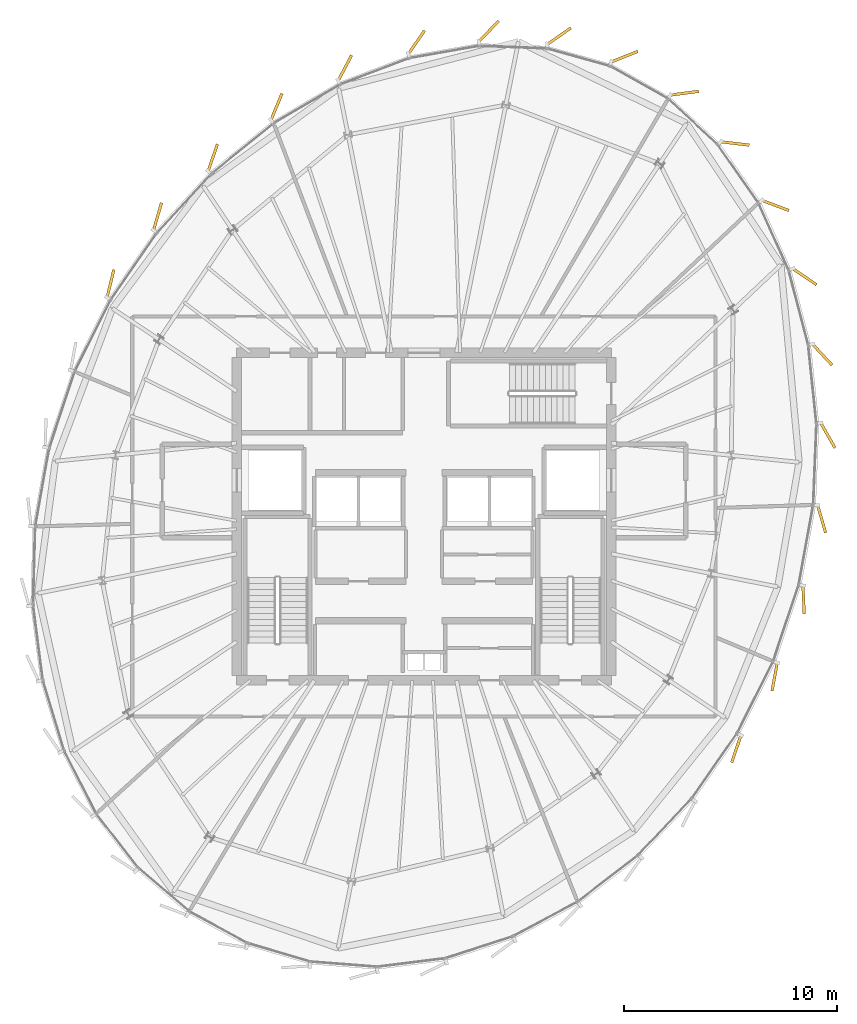
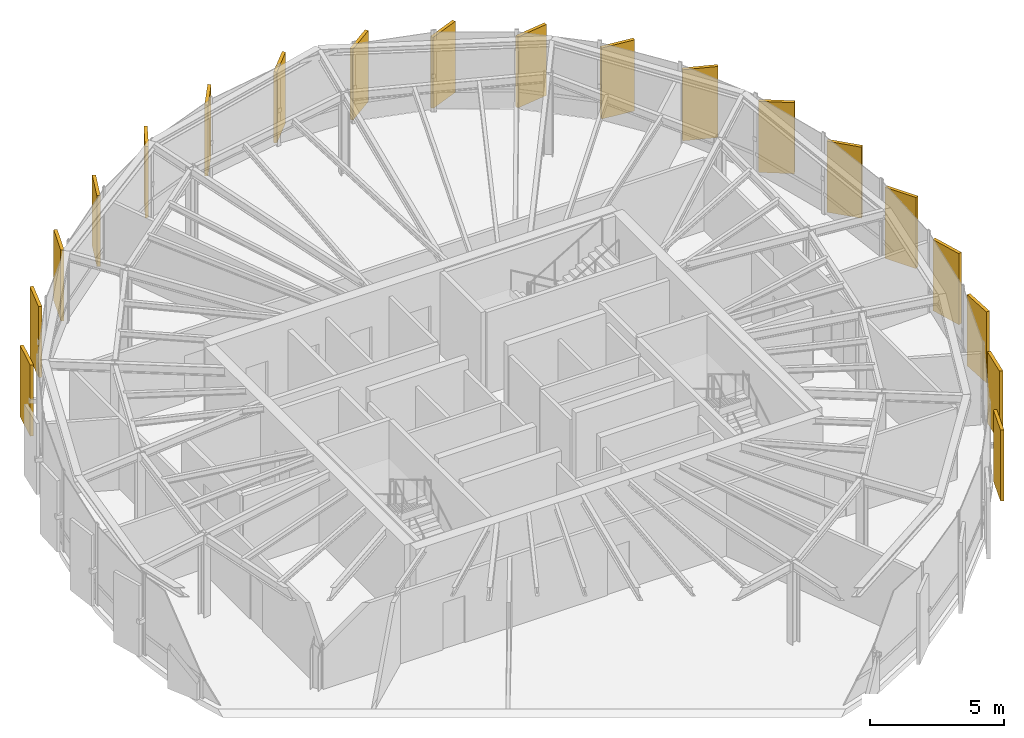
# One storey, part 25 of 25: 19 coverings.
"""IFC4 building model written with IfcOpenShell, lengths in metres."""

from ifc_helpers import new_model, si_unit, direction, frame, origin, origin_2d, place, context, subcontext, project, spatial, rectangle, extrude, source, transform, mapped, material, layer, layer_set, type_object, element, save


model = new_model("IFC4")

# Units and contexts
model_context = context("Model", 3, precision=1e-05, world=origin(), true_north=direction((0.0, 1.0)))
body_context = subcontext(model_context, "Body", "Model", "MODEL_VIEW")
ifc_project = project(units=[si_unit("LENGTHUNIT", "METRE"), si_unit("AREAUNIT", "SQUARE_METRE"), si_unit("VOLUMEUNIT", "CUBIC_METRE"), si_unit("PLANEANGLEUNIT", "RADIAN"), si_unit("MASSUNIT", "GRAM", prefix="KILO"), si_unit("THERMODYNAMICTEMPERATUREUNIT", "KELVIN")], contexts=[model_context])

# Site, building, storey
site_placement = place(None, origin())
site = spatial("IfcSite", under=ifc_project, at=site_placement, CompositionType="ELEMENT")
building_placement = place(site_placement, origin())
building = spatial("IfcBuilding", under=site, at=building_placement, Name="Kethvar Cultural Tower", CompositionType="ELEMENT")
storey_placement = place(building_placement, frame((0.0, 0.0, 304.300048828125)))
storey = spatial("IfcBuildingStorey", under=building, at=storey_placement, Name="L81", CompositionType="ELEMENT", Elevation=304.300048828125)

# Coverings
ifc_material = material(Name="Extruded Architectural Terracotta", Category="masonry")
ifc_layer = layer(ifc_material, 0.135009765625, Name="Extruded Architectural Terracotta", Category="masonry")
ifc_layer_set = layer_set([ifc_layer], Name="Extruded Architectural Terracotta (135 mm)")
covering_type = type_object("IfcCoveringType", Name="Terracotta Facade Fin FIN-03", PredefinedType="CLADDING", material=ifc_layer_set)
shared_shape = source(origin(), body_context, "Body", "SweptSolid", [
    extrude(rectangle(XDim=1.35009765625, YDim=0.135009765625, at=origin_2d()), origin(), (0.0, 0.0, 1.0), 3.25),
])
for number, where, z_axis, x_axis, name in (
    (1, (56.214111328125, 49.39990234375, 0.02001953125), (0.0, 0.0, 1.0), (0.928550628654, 0.371205778547, 0.0), "L81 Vertical Terracotta Fin 1.1"),
    (2, (53.15087890625, 50.366943359375, 0.02001953125), (0.0, 0.0, 1.0), (0.820850271661, 0.571143442153, 0.0), "L81 Vertical Terracotta Fin 1.2"),
    (3, (49.84130859375, 50.59130859375, 0.02001953125), (0.0, 0.0, 1.0), (0.69390469883, 0.720066850328, 0.0), "L81 Vertical Terracotta Fin 1.3"),
    (4, (46.44677734375, 50.076416015625, 0.02001953125), (0.0, 0.0, 1.0), (0.571286698852, 0.820750575823, 0.0), "L81 Vertical Terracotta Fin 1.4"),
    (5, (43.085693359375, 48.87158203125, 0.02001953125), (0.0, 0.0, 1.0), (0.466541021741, 0.884499561918, 0.0), "L81 Vertical Terracotta Fin 1.5"),
    (6, (39.87158203125, 47.048095703125, 0.02001953125), (0.0, 0.0, 1.0), (0.384456447386, 0.923143130865, 0.0), "L81 Vertical Terracotta Fin 1.6"),
    (7, (36.87939453125, 44.659912109375, 0.02001953125), (0.0, 0.0, 1.0), (0.324412742909, 0.945915626384, 0.0), "L81 Vertical Terracotta Fin 2.1"),
    (8, (34.28369140625, 41.892578125, 0.02001953125), (0.0, 0.0, 1.0), (0.277482336674, 0.960730738987, 0.0), "L81 Vertical Terracotta Fin 2.2"),
    (9, (32.073486328125, 38.743896484375, 0.02001953125), (0.0, 0.0, 1.0), (0.235990219443, 0.971755430305, 0.0), "L81 Vertical Terracotta Fin 2.3"),
    (10, (61.47607421875, 16.885986328125, 0.02001953125), (0.0, 0.0, 1.0), (-0.318959309298, -0.94776841001, 0.0), "L81 Vertical Terracotta Fin 5.3"),
    (11, (63.2744140625, 20.267822265625, 0.02001953125), (0.0, 0.0, 1.0), (-0.180690808106, -0.983539949298, 0.0), "L81 Vertical Terracotta Fin 5.4"),
    (12, (64.633544921875, 23.885498046875, 0.02001953125), (0.0, 0.0, 1.0), (0.045014278861, -0.9989863436, 0.0), "L81 Vertical Terracotta Fin 5.5"),
    (13, (65.479248046875, 27.68701171875, 0.02001953125), (0.0, 0.0, 1.0), (0.279996570078, -0.960001000387, 0.0), "L81 Vertical Terracotta Fin 5.6"),
    (14, (65.772705078125, 31.610595703125, 0.02001953125), (0.0, 0.0, 1.0), (0.49727683803, -0.867591923867, 0.0), "L81 Vertical Terracotta Fin 6.1"),
    (15, (65.510498046875, 35.4052734375, 0.02001953125), (0.0, 0.0, 1.0), (0.681743027916, -0.731591719395, 0.0), "L81 Vertical Terracotta Fin 6.2"),
    (16, (64.6826171875, 39.064697265625, 0.02001953125), (0.0, 0.0, 1.0), (0.829817544761, -0.558034803938, 0.0), "L81 Vertical Terracotta Fin 6.3"),
    (17, (63.30712890625, 42.41357421875, 0.02001953125), (0.0, 0.0, 1.0), (0.936304939415, -0.35118806988, 0.0), "L81 Vertical Terracotta Fin 6.4"),
    (18, (61.412109375, 45.32568359375, 0.02001953125), (0.0, 0.0, 1.0), (0.993231602049, -0.116150698194, 0.0), "L81 Vertical Terracotta Fin 6.5"),
    (19, (59.03955078125, 47.6845703125, 0.02001953125), (0.0, 0.0, 1.0), (0.991099747366, 0.133121338527, 0.0), "L81 Vertical Terracotta Fin 6.6"),
):
    element("IfcCovering", number, at=place(storey_placement, frame(where, z_axis=z_axis, x_axis=x_axis)), inside=storey, type_object=covering_type, Name=name, PredefinedType="CLADDING", context=body_context, shape_type="MappedRepresentation", body=[
        mapped(shared_shape, transform((0.0, 0.0, 0.0), scale=1.0)),
    ])

save(model, "model.ifc")
